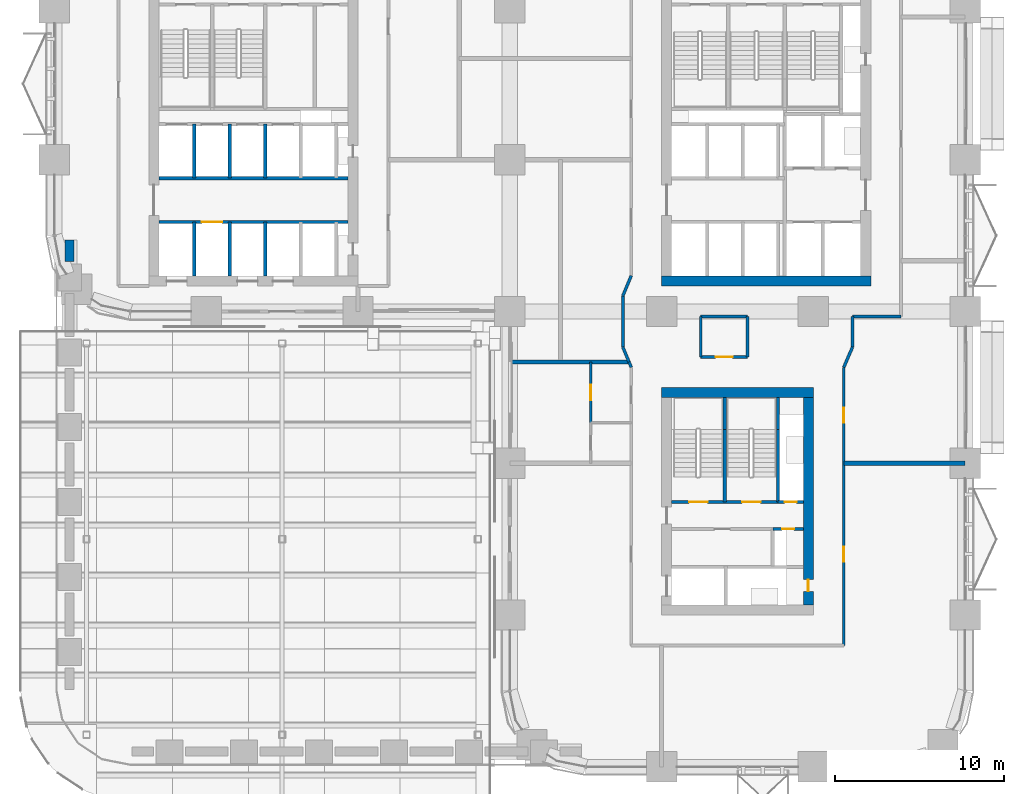
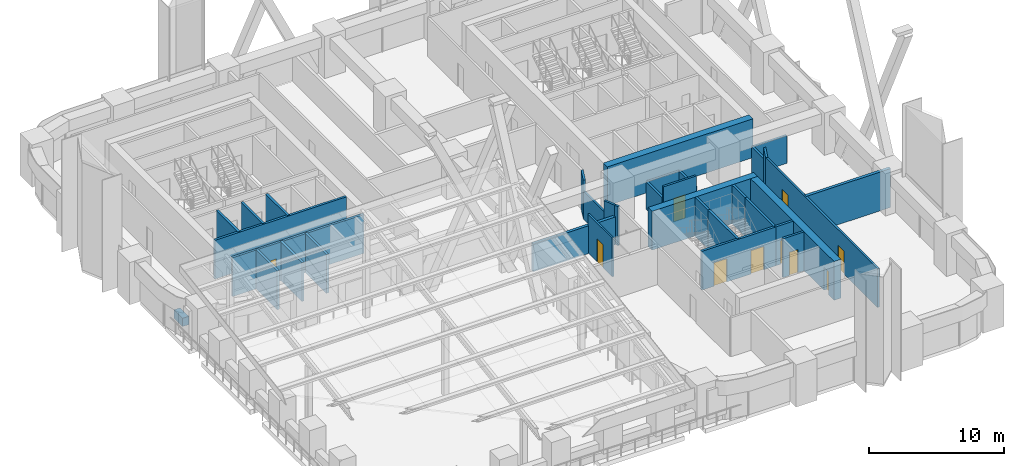
# One storey, part 14 of 22: 34 walls, 10 doors, 10 openings.
"""IFC4 building model written with IfcOpenShell, lengths in metres."""

from ifc_helpers import new_model, si_unit, direction, frame, frame_2d, origin, place, context, subcontext, project, spatial, rectangle, extrude, material, layer, layer_set, type_object, element, fill, save


model = new_model("IFC4")

# Units and contexts
model_context = context("Model", 3, precision=1e-05, world=origin(), true_north=direction((0.0, 1.0)))
body_context = subcontext(model_context, "Body", "Model", "MODEL_VIEW")
ifc_project = project(units=[si_unit("LENGTHUNIT", "METRE"), si_unit("AREAUNIT", "SQUARE_METRE"), si_unit("VOLUMEUNIT", "CUBIC_METRE"), si_unit("PLANEANGLEUNIT", "RADIAN"), si_unit("MASSUNIT", "GRAM", prefix="KILO")], contexts=[model_context])

# Site, building, storey
site_placement = place(None, origin())
site = spatial("IfcSite", under=ifc_project, at=site_placement, CompositionType="ELEMENT")
building_placement = place(site_placement, origin())
building = spatial("IfcBuilding", under=site, at=building_placement, Name="Tessera Arch", CompositionType="ELEMENT")
storey_placement = place(building_placement, frame((0.0, 0.0, 77.800048828125)))
storey = spatial("IfcBuildingStorey", under=building, at=storey_placement, Name="L17", CompositionType="ELEMENT", Elevation=77.800048828125)

# Walls
ifc_material_1 = material(Name="Concrete C70/85", Category="concrete")
ifc_layer_1 = layer(ifc_material_1, 0.60009765625)
ifc_layer_set_1 = layer_set([ifc_layer_1], Name="Core shell wall 600 C70-85")
wall_type_1 = type_object("IfcWallType", Name="Core shell wall 600 C70-85", PredefinedType="SHEAR", material=ifc_layer_set_1)
wall_1_placement = place(storey_placement, frame((36.0, 28.800048828125, 0.0), z_axis=(0.0, 0.0, 1.0), x_axis=(1.0, 0.0, 0.0)))
element("IfcWall", 1, at=wall_1_placement, inside=storey, type_object=wall_type_1, Name="L17 C1 core wall S", PredefinedType="SHEAR", context=body_context, shape_type="SweptSolid", body=[
    extrude(rectangle(XDim=12.39990234375, YDim=0.60009765625, at=frame_2d((6.199951171875, 0.0))), origin(), (0.0, 0.0, 1.0), 3.5),
])
wall_2_placement = place(storey_placement, frame((36.0, 22.199951171875, 0.0), z_axis=(0.0, 0.0, 1.0), x_axis=(1.0, 0.0, 0.0)))
element("IfcWall", 2, at=wall_2_placement, inside=storey, type_object=wall_type_1, Name="L17 C3 core wall N", PredefinedType="SHEAR", context=body_context, shape_type="SweptSolid", body=[
    extrude(rectangle(XDim=9.0, YDim=0.60009765625, at=frame_2d((4.5, 0.0))), origin(), (0.0, 0.0, 1.0), 3.5),
])

# Wall, opening, door
wall_3_placement = place(storey_placement, frame((44.699951171875, 9.60009765625, 0.0), z_axis=(0.0, 0.0, 1.0), x_axis=(0.0, 1.0, 0.0)))
wall_3 = element("IfcWall", 3, at=wall_3_placement, inside=storey, type_object=wall_type_1, Name="L17 C3 core wall E", PredefinedType="SHEAR", context=body_context, shape_type="SweptSolid", body=[
    extrude(rectangle(XDim=12.2998046875, YDim=0.60009765625, at=frame_2d((6.14990234375, 0.0))), origin(), (0.0, 0.0, 1.0), 3.5),
])
opening_1_placement = place(wall_3_placement, frame((0.800048828125, 0.0, 0.0)))
opening_1 = element("IfcOpeningElement", 4, at=opening_1_placement, cuts=wall_3, Name="Opening L17-C38", PredefinedType="OPENING", context=body_context, shape_type="SweptSolid", body=[
    extrude(rectangle(XDim=0.699951171875, YDim=2.10009765625, at=frame_2d((0.35009765625, 1.050048828125))), frame((0.0, 0.31005859375, 0.0), z_axis=(0.0, -1.0, 0.0), x_axis=(1.0, 0.0, 0.0)), (0.0, 0.0, 1.0), 0.6201171875),
])
ifc_material_2 = material(Name="Steel door leaf", Category="steel")
door_type_1 = type_object("IfcDoorType", Name="Service shaft door FD60 700 x 2100", OperationType="SINGLE_SWING_LEFT", PredefinedType="DOOR", material=ifc_material_2)
door_1_placement = place(opening_1_placement, origin())
door_1 = element("IfcDoor", 5, at=door_1_placement, inside=storey, type_object=door_type_1, Name="L17 C3 door 6 C38 type D07", OperationType="SINGLE_SWING_LEFT", OverallHeight=2.10009765625, OverallWidth=0.699951171875, PredefinedType="DOOR", context=body_context, shape_type="SweptSolid", body=[
    extrude(rectangle(XDim=0.699951171875, YDim=2.10009765625, at=frame_2d((0.35009765625, 1.050048828125))), frame((0.0, 0.02490234375, 0.0), z_axis=(0.0, -1.0, 0.0), x_axis=(1.0, 0.0, 0.0)), (0.0, 0.0, 1.0), 0.050048828125),
])
fill(opening_1, door_1)

ifc_material_3 = material(Name="Gypsum board on deep steel stud with mineral wool", Category="steel")
ifc_layer_2 = layer(ifc_material_3, 0.175048828125)
ifc_layer_set_2 = layer_set([ifc_layer_2], Name="Corridor wall 175 EI 60")
wall_type_2 = type_object("IfcWallType", Name="Corridor wall 175 EI 60", PredefinedType="PARTITIONING", material=ifc_layer_set_2)
wall_4_placement = place(storey_placement, frame((38.320068359375, 24.300048828125, 0.0), z_axis=(0.0, 0.0, 1.0), x_axis=(1.0, 0.0, 0.0)))
wall_4 = element("IfcWall", 6, at=wall_4_placement, inside=storey, type_object=wall_type_2, Name="L17 partition 2", PredefinedType="PARTITIONING", context=body_context, shape_type="SweptSolid", body=[
    extrude(rectangle(XDim=2.780029296875, YDim=0.175048828125, at=frame_2d((1.39013671875, 0.0))), origin(), (0.0, 0.0, 1.0), 3.5),
])
opening_2_placement = place(wall_4_placement, frame((0.889892578125, 0.0, 0.0)))
opening_2 = element("IfcOpeningElement", 7, at=opening_2_placement, cuts=wall_4, Name="Opening L17-D007", PredefinedType="OPENING", context=body_context, shape_type="SweptSolid", body=[
    extrude(rectangle(XDim=1.0, YDim=2.10009765625, at=frame_2d((0.5, 1.050048828125))), frame((0.0, 0.097412109375, 0.0), z_axis=(0.0, -1.0, 0.0), x_axis=(1.0, 0.0, 0.0)), (0.0, 0.0, 1.0), 0.195068359375),
])
ifc_material_4 = material(Name="Fire-rated door leaf")
door_type_2 = type_object("IfcDoorType", Name="Entrance door FD30S 1000 x 2100", OperationType="SINGLE_SWING_LEFT", PredefinedType="DOOR", material=ifc_material_4)
door_2_placement = place(opening_2_placement, origin())
door_2 = element("IfcDoor", 8, at=door_2_placement, inside=storey, type_object=door_type_2, Name="L17 door D007 type D03", OperationType="SINGLE_SWING_LEFT", OverallHeight=2.10009765625, OverallWidth=1.0, PredefinedType="DOOR", context=body_context, shape_type="SweptSolid", body=[
    extrude(rectangle(XDim=1.0, YDim=2.10009765625, at=frame_2d((0.5, 1.050048828125))), frame((0.0, 0.02490234375, 0.0), z_axis=(0.0, -1.0, 0.0), x_axis=(1.0, 0.0, 0.0)), (0.0, 0.0, 1.0), 0.050048828125),
])
fill(opening_2, door_2)

# Walls
wall_5_placement = place(storey_placement, frame((38.320068359375, 26.699951171875, 0.0), z_axis=(0.0, 0.0, 1.0), x_axis=(1.0, 0.0, 0.0)))
element("IfcWall", 9, at=wall_5_placement, inside=storey, type_object=wall_type_2, Name="L17 partition 3", PredefinedType="PARTITIONING", context=body_context, shape_type="SweptSolid", body=[
    extrude(rectangle(XDim=2.780029296875, YDim=0.175048828125, at=frame_2d((1.39013671875, 0.0))), origin(), (0.0, 0.0, 1.0), 2.5),
])
wall_6_placement = place(storey_placement, frame((47.320068359375, 26.699951171875, 0.0), z_axis=(0.0, 0.0, 1.0), x_axis=(1.0, 0.0, 0.0)))
element("IfcWall", 10, at=wall_6_placement, inside=storey, type_object=wall_type_2, Name="L17 partition 4", PredefinedType="PARTITIONING", context=body_context, shape_type="SweptSolid", body=[
    extrude(rectangle(XDim=2.8798828125, YDim=0.175048828125, at=frame_2d((1.43994140625, 0.0))), origin(), (0.0, 0.0, 1.0), 2.5),
])
wall_7_placement = place(storey_placement, frame((33.699951171875, 24.889892578125, 0.0), z_axis=(0.0, 0.0, 1.0), x_axis=(0.0, 1.0, 0.0)))
element("IfcWall", 11, at=wall_7_placement, inside=storey, type_object=wall_type_2, Name="L17 partition 11", PredefinedType="PARTITIONING", context=body_context, shape_type="SweptSolid", body=[
    extrude(rectangle(XDim=3.030029296875, YDim=0.175048828125, at=frame_2d((1.51513671875, 0.0))), origin(), (0.0, 0.0, 1.0), 2.5),
])
for number, where, z_axis, x_axis, name in (
    (12, (38.320068359375, 24.300048828125, 0.0), (0.0, 0.0, 1.0), (0.0, 1.0, 0.0), "L17 partition 14"),
    (13, (41.10009765625, 24.300048828125, 0.0), (0.0, 0.0, 1.0), (0.0, 1.0, 0.0), "L17 partition 15"),
):
    element("IfcWall", number, at=place(storey_placement, frame(where, z_axis=z_axis, x_axis=x_axis)), inside=storey, type_object=wall_type_2, Name=name, PredefinedType="PARTITIONING", context=body_context, shape_type="SweptSolid", body=[
        extrude(rectangle(XDim=2.39990234375, YDim=0.175048828125, at=frame_2d((1.199951171875, 0.0))), origin(), (0.0, 0.0, 1.0), 2.5),
    ])

# Wall, openings, doors
wall_8_placement = place(storey_placement, frame((46.800048828125, 7.199951171875, 0.0), z_axis=(0.0, 0.0, 1.0), x_axis=(0.0, 1.0, 0.0)))
wall_8 = element("IfcWall", 14, at=wall_8_placement, inside=storey, type_object=wall_type_2, Name="L17 partition 16", PredefinedType="PARTITIONING", context=body_context, shape_type="SweptSolid", body=[
    extrude(rectangle(XDim=16.489990234375, YDim=0.175048828125, at=frame_2d((8.2451171875, 0.0))), origin(), (0.0, 0.0, 1.0), 3.5),
])
opening_3_placement = place(wall_8_placement, frame((4.949951171875, 0.0, 0.0)))
opening_3 = element("IfcOpeningElement", 15, at=opening_3_placement, cuts=wall_8, Name="Opening L17-D001", PredefinedType="OPENING", context=body_context, shape_type="SweptSolid", body=[
    extrude(rectangle(XDim=0.89990234375, YDim=2.10009765625, at=frame_2d((0.449951171875, 1.050048828125))), frame((0.0, 0.097412109375, 0.0), z_axis=(0.0, -1.0, 0.0), x_axis=(1.0, 0.0, 0.0)), (0.0, 0.0, 1.0), 0.195068359375),
])
opening_4_placement = place(wall_8_placement, frame((13.195068359375, 0.0, 0.0)))
opening_4 = element("IfcOpeningElement", 16, at=opening_4_placement, cuts=wall_8, Name="Opening L17-D006", PredefinedType="OPENING", context=body_context, shape_type="SweptSolid", body=[
    extrude(rectangle(XDim=0.89990234375, YDim=2.10009765625, at=frame_2d((0.449951171875, 1.050048828125))), frame((0.0, 0.097412109375, 0.0), z_axis=(0.0, -1.0, 0.0), x_axis=(1.0, 0.0, 0.0)), (0.0, 0.0, 1.0), 0.195068359375),
])
ifc_material_5 = material(Name="Timber door leaf", Category="wood")
door_type_3 = type_object("IfcDoorType", Name="Room door 900 x 2100", OperationType="SINGLE_SWING_LEFT", PredefinedType="DOOR", material=ifc_material_5)
door_3_placement = place(opening_3_placement, origin())
door_3 = element("IfcDoor", 17, at=door_3_placement, inside=storey, type_object=door_type_3, Name="L17 door D001 type D01", OperationType="SINGLE_SWING_RIGHT", OverallHeight=2.10009765625, OverallWidth=0.89990234375, PredefinedType="DOOR", context=body_context, shape_type="SweptSolid", body=[
    extrude(rectangle(XDim=0.89990234375, YDim=2.10009765625, at=frame_2d((0.449951171875, 1.050048828125))), frame((0.0, 0.02490234375, 0.0), z_axis=(0.0, -1.0, 0.0), x_axis=(1.0, 0.0, 0.0)), (0.0, 0.0, 1.0), 0.050048828125),
])
fill(opening_3, door_3)
door_4_placement = place(opening_4_placement, origin())
door_4 = element("IfcDoor", 18, at=door_4_placement, inside=storey, type_object=door_type_3, Name="L17 door D006 type D01", OperationType="SINGLE_SWING_LEFT", OverallHeight=2.10009765625, OverallWidth=0.89990234375, PredefinedType="DOOR", context=body_context, shape_type="SweptSolid", body=[
    extrude(rectangle(XDim=0.89990234375, YDim=2.10009765625, at=frame_2d((0.449951171875, 1.050048828125))), frame((0.0, 0.02490234375, 0.0), z_axis=(0.0, -1.0, 0.0), x_axis=(1.0, 0.0, 0.0)), (0.0, 0.0, 1.0), 0.050048828125),
])
fill(opening_4, door_4)

# Walls
wall_9_placement = place(storey_placement, frame((47.320068359375, 24.889892578125, 0.0), z_axis=(0.0, 0.0, 1.0), x_axis=(0.0, 1.0, 0.0)))
element("IfcWall", 19, at=wall_9_placement, inside=storey, type_object=wall_type_2, Name="L17 partition 17", PredefinedType="PARTITIONING", context=body_context, shape_type="SweptSolid", body=[
    extrude(rectangle(XDim=1.81005859375, YDim=0.175048828125, at=frame_2d((0.905029296875, 0.0))), origin(), (0.0, 0.0, 1.0), 2.5),
])
wall_10_placement = place(storey_placement, frame((34.199951171875, 23.68994140625, 0.0), z_axis=(0.0, 0.0, 1.0), x_axis=(-0.384307602557, 0.92320510539, 0.0)))
element("IfcWall", 20, at=wall_10_placement, inside=storey, type_object=wall_type_2, Name="L17 partition 36", PredefinedType="PARTITIONING", context=body_context, shape_type="SweptSolid", body=[
    extrude(rectangle(XDim=0.337890625, YDim=0.175048828125, at=frame_2d((0.1689453125, 0.0))), origin(), (0.0, 0.0, 1.0), 3.5),
])
wall_11_placement = place(storey_placement, frame((47.320068359375, 24.889892578125, 0.0), z_axis=(0.0, 0.0, 1.0), x_axis=(-0.397633632391, -0.917544273804, 0.0)))
element("IfcWall", 21, at=wall_11_placement, inside=storey, type_object=wall_type_2, Name="L17 partition 37", PredefinedType="PARTITIONING", context=body_context, shape_type="SweptSolid", body=[
    extrude(rectangle(XDim=1.307861328125, YDim=0.175048828125, at=frame_2d((0.65380859375, 0.0))), origin(), (0.0, 0.0, 1.0), 3.5),
])
wall_12_placement = place(storey_placement, frame((34.071533203125, 23.998291015625, 0.0), z_axis=(0.0, 0.0, 1.0), x_axis=(-0.384687170746, 0.923047008913, 0.0)))
element("IfcWall", 22, at=wall_12_placement, inside=storey, type_object=wall_type_2, Name="L17 partition 38", PredefinedType="PARTITIONING", context=body_context, shape_type="SweptSolid", body=[
    extrude(rectangle(XDim=0.9658203125, YDim=0.175048828125, at=frame_2d((0.48291015625, 0.0))), origin(), (0.0, 0.0, 1.0), 3.5),
])
wall_13_placement = place(storey_placement, frame((33.699951171875, 27.919921875, 0.0), z_axis=(0.0, 0.0, 1.0), x_axis=(0.384562051588, 0.923099143363, 0.0)))
element("IfcWall", 23, at=wall_13_placement, inside=storey, type_object=wall_type_2, Name="L17 partition 39", PredefinedType="PARTITIONING", context=body_context, shape_type="SweptSolid", body=[
    extrude(rectangle(XDim=1.30029296875, YDim=0.175048828125, at=frame_2d((0.650146484375, 0.0))), origin(), (0.0, 0.0, 1.0), 3.5),
])

# Wall, opening, door
ifc_material_6 = material(Name="Gypsum board on steel stud", Category="steel")
ifc_layer_3 = layer(ifc_material_6, 0.14990234375)
ifc_layer_set_3 = layer_set([ifc_layer_3], Name="Partition 150")
wall_type_3 = type_object("IfcWallType", Name="Partition 150", PredefinedType="PARTITIONING", material=ifc_layer_set_3)
wall_14_placement = place(storey_placement, frame((31.800048828125, 20.39990234375, 0.0), z_axis=(0.0, 0.0, 1.0), x_axis=(0.0, 1.0, 0.0)))
wall_14 = element("IfcWall", 24, at=wall_14_placement, inside=storey, type_object=wall_type_3, Name="L17 partition 19", PredefinedType="PARTITIONING", context=body_context, shape_type="SweptSolid", body=[
    extrude(rectangle(XDim=3.60009765625, YDim=0.14990234375, at=frame_2d((1.800048828125, 0.0))), origin(), (0.0, 0.0, 1.0), 3.5),
])
opening_5_placement = place(wall_14_placement, frame((1.35009765625, 0.0, 0.0)))
opening_5 = element("IfcOpeningElement", 25, at=opening_5_placement, cuts=wall_14, Name="Opening L17-D004", PredefinedType="OPENING", context=body_context, shape_type="SweptSolid", body=[
    extrude(rectangle(XDim=0.89990234375, YDim=2.10009765625, at=frame_2d((0.449951171875, 1.050048828125))), frame((0.0, 0.0849609375, 0.0), z_axis=(0.0, -1.0, 0.0), x_axis=(1.0, 0.0, 0.0)), (0.0, 0.0, 1.0), 0.169921875),
])
door_5_placement = place(opening_5_placement, origin())
door_5 = element("IfcDoor", 26, at=door_5_placement, inside=storey, type_object=door_type_3, Name="L17 door D004 type D01", OperationType="SINGLE_SWING_RIGHT", OverallHeight=2.10009765625, OverallWidth=0.89990234375, PredefinedType="DOOR", context=body_context, shape_type="SweptSolid", body=[
    extrude(rectangle(XDim=0.89990234375, YDim=2.10009765625, at=frame_2d((0.449951171875, 1.050048828125))), frame((0.0, 0.02490234375, 0.0), z_axis=(0.0, -1.0, 0.0), x_axis=(1.0, 0.0, 0.0)), (0.0, 0.0, 1.0), 0.050048828125),
])
fill(opening_5, door_5)

# Walls
ifc_material_7 = material(Name="Double gypsum board on twin steel stud with acoustic mineral wool", Category="steel")
ifc_layer_4 = layer(ifc_material_7, 0.25)
ifc_layer_set_4 = layer_set([ifc_layer_4], Name="Party wall 250 EI 60")
wall_type_4 = type_object("IfcWallType", Name="Party wall 250 EI 60", PredefinedType="PARTITIONING", material=ifc_layer_set_4)
wall_15_placement = place(storey_placement, frame((46.800048828125, 18.0, 0.0), z_axis=(0.0, 0.0, 1.0), x_axis=(1.0, 0.0, 0.0)))
element("IfcWall", 27, at=wall_15_placement, inside=storey, type_object=wall_type_4, Name="L17 partition 21", PredefinedType="PARTITIONING", context=body_context, shape_type="SweptSolid", body=[
    extrude(rectangle(XDim=7.199951171875, YDim=0.25, at=frame_2d((3.60009765625, 0.0))), origin(), (0.0, 0.0, 1.0), 3.5),
])
wall_16_placement = place(storey_placement, frame((27.0, 24.0, 0.0), z_axis=(0.0, 0.0, 1.0), x_axis=(1.0, 0.0, 0.0)))
element("IfcWall", 28, at=wall_16_placement, inside=storey, type_object=wall_type_4, Name="L17 partition 22", PredefinedType="PARTITIONING", context=body_context, shape_type="SweptSolid", body=[
    extrude(rectangle(XDim=7.07080078125, YDim=0.25, at=frame_2d((3.535400390625, 0.0))), origin(), (0.0, 0.0, 1.0), 2.5),
])
ifc_material_8 = material(Name="Precast concrete C40/50", Category="concrete")
ifc_layer_5 = layer(ifc_material_8, 0.5400390625)
ifc_layer_set_5 = layer_set([ifc_layer_5], Name="Planter bed 540 wide")
wall_type_5 = type_object("IfcWallType", Name="Planter bed 540 wide", PredefinedType="SOLIDWALL", material=ifc_layer_set_5)
wall_17_placement = place(storey_placement, frame((0.89990234375, 29.972412109375, 0.599853515625), z_axis=(0.0, 0.0, 1.0), x_axis=(0.0, 1.0, 0.0)))
element("IfcWall", 29, at=wall_17_placement, inside=storey, type_object=wall_type_5, Name="PLANTER shrub mass on terrace bed 1-2 7", PredefinedType="SOLIDWALL", context=body_context, shape_type="SweptSolid", body=[
    extrude(rectangle(XDim=1.271240234375, YDim=0.5400390625, at=frame_2d((0.6357421875, 0.0))), origin(), (0.0, 0.0, 1.0), 0.75),
])
ifc_material_9 = material(Name="Concrete C40/50", Category="concrete")
ifc_layer_6 = layer(ifc_material_9, 0.199951171875)
ifc_layer_set_6 = layer_set([ifc_layer_6], Name="Shaft wall 200 EI 120")
wall_type_6 = type_object("IfcWallType", Name="Shaft wall 200 EI 120", PredefinedType="SOLIDWALL", material=ifc_layer_set_6)
wall_18_placement = place(storey_placement, frame((8.300048828125, 29.10009765625, 0.0), z_axis=(0.0, 0.0, 1.0), x_axis=(0.0, 1.0, 0.0)))
element("IfcWall", 30, at=wall_18_placement, inside=storey, type_object=wall_type_6, Name="L17 C2 shaft wall 1", PredefinedType="SOLIDWALL", context=body_context, shape_type="SweptSolid", body=[
    extrude(rectangle(XDim=3.199951171875, YDim=0.199951171875, at=frame_2d((1.60009765625, 0.0))), origin(), (0.0, 0.0, 1.0), 3.5),
])
wall_19_placement = place(storey_placement, frame((8.300048828125, 34.89990234375, 0.0), z_axis=(0.0, 0.0, 1.0), x_axis=(0.0, 1.0, 0.0)))
element("IfcWall", 31, at=wall_19_placement, inside=storey, type_object=wall_type_6, Name="L17 C2 shaft wall 2", PredefinedType="SOLIDWALL", context=body_context, shape_type="SweptSolid", body=[
    extrude(rectangle(XDim=3.2001953125, YDim=0.199951171875, at=frame_2d((1.60009765625, 0.0))), origin(), (0.0, 0.0, 1.0), 3.5),
])
wall_20_placement = place(storey_placement, frame((10.39990234375, 29.10009765625, 0.0), z_axis=(0.0, 0.0, 1.0), x_axis=(0.0, 1.0, 0.0)))
element("IfcWall", 32, at=wall_20_placement, inside=storey, type_object=wall_type_6, Name="L17 C2 shaft wall 5", PredefinedType="SOLIDWALL", context=body_context, shape_type="SweptSolid", body=[
    extrude(rectangle(XDim=3.199951171875, YDim=0.199951171875, at=frame_2d((1.60009765625, 0.0))), origin(), (0.0, 0.0, 1.0), 3.5),
])
wall_21_placement = place(storey_placement, frame((10.39990234375, 34.89990234375, 0.0), z_axis=(0.0, 0.0, 1.0), x_axis=(0.0, 1.0, 0.0)))
element("IfcWall", 33, at=wall_21_placement, inside=storey, type_object=wall_type_6, Name="L17 C2 shaft wall 6", PredefinedType="SOLIDWALL", context=body_context, shape_type="SweptSolid", body=[
    extrude(rectangle(XDim=3.2001953125, YDim=0.199951171875, at=frame_2d((1.60009765625, 0.0))), origin(), (0.0, 0.0, 1.0), 3.5),
])
wall_22_placement = place(storey_placement, frame((12.5, 29.10009765625, 0.0), z_axis=(0.0, 0.0, 1.0), x_axis=(0.0, 1.0, 0.0)))
element("IfcWall", 34, at=wall_22_placement, inside=storey, type_object=wall_type_6, Name="L17 C2 shaft wall 8", PredefinedType="SOLIDWALL", context=body_context, shape_type="SweptSolid", body=[
    extrude(rectangle(XDim=3.199951171875, YDim=0.199951171875, at=frame_2d((1.60009765625, 0.0))), origin(), (0.0, 0.0, 1.0), 3.5),
])
wall_23_placement = place(storey_placement, frame((12.5, 34.89990234375, 0.0), z_axis=(0.0, 0.0, 1.0), x_axis=(0.0, 1.0, 0.0)))
element("IfcWall", 35, at=wall_23_placement, inside=storey, type_object=wall_type_6, Name="L17 C2 shaft wall 9", PredefinedType="SOLIDWALL", context=body_context, shape_type="SweptSolid", body=[
    extrude(rectangle(XDim=3.2001953125, YDim=0.199951171875, at=frame_2d((1.60009765625, 0.0))), origin(), (0.0, 0.0, 1.0), 3.5),
])

# Wall, opening, door
wall_24_placement = place(storey_placement, frame((6.199951171875, 32.300048828125, 0.0), z_axis=(0.0, 0.0, 1.0), x_axis=(1.0, 0.0, 0.0)))
wall_24 = element("IfcWall", 36, at=wall_24_placement, inside=storey, type_object=wall_type_6, Name="L17 C2 shaft wall 17", PredefinedType="SOLIDWALL", context=body_context, shape_type="SweptSolid", body=[
    extrude(rectangle(XDim=11.199951171875, YDim=0.199951171875, at=frame_2d((5.60009765625, 0.0))), origin(), (0.0, 0.0, 1.0), 3.5),
])
opening_6_placement = place(wall_24_placement, frame((2.550048828125, 0.0, 0.0)))
opening_6 = element("IfcOpeningElement", 37, at=opening_6_placement, cuts=wall_24, Name="Opening L17-C16", PredefinedType="OPENING", context=body_context, shape_type="SweptSolid", body=[
    extrude(rectangle(XDim=1.199951171875, YDim=2.10009765625, at=frame_2d((0.60009765625, 1.050048828125))), frame((0.0, 0.10986328125, 0.0), z_axis=(0.0, -1.0, 0.0), x_axis=(1.0, 0.0, 0.0)), (0.0, 0.0, 1.0), 0.219970703125),
])
ifc_material_10 = material(Name="Stainless steel AISI 304", Category="steel")
door_type_4 = type_object("IfcDoorType", Name="Sliding landing door 1200 x 2100", OperationType="SLIDING_TO_LEFT", PredefinedType="DOOR", material=ifc_material_10)
door_6_placement = place(opening_6_placement, origin())
door_6 = element("IfcDoor", 38, at=door_6_placement, inside=storey, type_object=door_type_4, Name="L17 LR2 lift landing door C16 type LD", OperationType="SLIDING_TO_LEFT", OverallHeight=2.10009765625, OverallWidth=1.199951171875, PredefinedType="DOOR", context=body_context, shape_type="SweptSolid", body=[
    extrude(rectangle(XDim=1.199951171875, YDim=2.10009765625, at=frame_2d((0.60009765625, 1.050048828125))), frame((0.0, 0.02490234375, 0.0), z_axis=(0.0, -1.0, 0.0), x_axis=(1.0, 0.0, 0.0)), (0.0, 0.0, 1.0), 0.050048828125),
])
fill(opening_6, door_6)

# Wall
wall_25_placement = place(storey_placement, frame((6.199951171875, 34.89990234375, 0.0), z_axis=(0.0, 0.0, 1.0), x_axis=(1.0, 0.0, 0.0)))
element("IfcWall", 39, at=wall_25_placement, inside=storey, type_object=wall_type_6, Name="L17 C2 shaft wall 18", PredefinedType="SOLIDWALL", context=body_context, shape_type="SweptSolid", body=[
    extrude(rectangle(XDim=11.199951171875, YDim=0.199951171875, at=frame_2d((5.60009765625, 0.0))), origin(), (0.0, 0.0, 1.0), 3.5),
])

# Wall, opening, door
wall_26_placement = place(storey_placement, frame((42.60009765625, 14.10009765625, 0.0), z_axis=(0.0, 0.0, 1.0), x_axis=(1.0, 0.0, 0.0)))
wall_26 = element("IfcWall", 40, at=wall_26_placement, inside=storey, type_object=wall_type_6, Name="L17 C3 shaft wall 9", PredefinedType="SOLIDWALL", context=body_context, shape_type="SweptSolid", body=[
    extrude(rectangle(XDim=1.7998046875, YDim=0.199951171875, at=frame_2d((0.89990234375, 0.0))), origin(), (0.0, 0.0, 1.0), 3.5),
])
opening_7_placement = place(wall_26_placement, frame((0.550048828125, 0.0, 0.0)))
opening_7 = element("IfcOpeningElement", 41, at=opening_7_placement, cuts=wall_26, Name="Opening L17-C37", PredefinedType="OPENING", context=body_context, shape_type="SweptSolid", body=[
    extrude(rectangle(XDim=0.699951171875, YDim=2.10009765625, at=frame_2d((0.35009765625, 1.050048828125))), frame((0.0, 0.10986328125, 0.0), z_axis=(0.0, -1.0, 0.0), x_axis=(1.0, 0.0, 0.0)), (0.0, 0.0, 1.0), 0.219970703125),
])
door_7_placement = place(opening_7_placement, origin())
door_7 = element("IfcDoor", 42, at=door_7_placement, inside=storey, type_object=door_type_1, Name="L17 C3 door 5 C37 type D07", OperationType="SINGLE_SWING_RIGHT", OverallHeight=2.10009765625, OverallWidth=0.699951171875, PredefinedType="DOOR", context=body_context, shape_type="SweptSolid", body=[
    extrude(rectangle(XDim=0.699951171875, YDim=2.10009765625, at=frame_2d((0.35009765625, 1.050048828125))), frame((0.0, 0.02490234375, 0.0), z_axis=(0.0, -1.0, 0.0), x_axis=(1.0, 0.0, 0.0)), (0.0, 0.0, 1.0), 0.050048828125),
])
fill(opening_7, door_7)

wall_27_placement = place(storey_placement, frame((42.89990234375, 15.699951171875, 0.0), z_axis=(0.0, 0.0, 1.0), x_axis=(1.0, 0.0, 0.0)))
wall_27 = element("IfcWall", 43, at=wall_27_placement, inside=storey, type_object=wall_type_6, Name="L17 C3 shaft wall 10", PredefinedType="SOLIDWALL", context=body_context, shape_type="SweptSolid", body=[
    extrude(rectangle(XDim=1.5, YDim=0.199951171875, at=frame_2d((0.75, 0.0))), origin(), (0.0, 0.0, 1.0), 3.5),
])
opening_8_placement = place(wall_27_placement, frame((0.39990234375, 0.0, 0.0)))
opening_8 = element("IfcOpeningElement", 44, at=opening_8_placement, cuts=wall_27, Name="Opening L17-C36", PredefinedType="OPENING", context=body_context, shape_type="SweptSolid", body=[
    extrude(rectangle(XDim=0.699951171875, YDim=2.10009765625, at=frame_2d((0.35009765625, 1.050048828125))), frame((0.0, 0.10986328125, 0.0), z_axis=(0.0, -1.0, 0.0), x_axis=(1.0, 0.0, 0.0)), (0.0, 0.0, 1.0), 0.219970703125),
])
door_8_placement = place(opening_8_placement, origin())
door_8 = element("IfcDoor", 45, at=door_8_placement, inside=storey, type_object=door_type_1, Name="L17 C3 door 4 C36 type D07", OperationType="SINGLE_SWING_LEFT", OverallHeight=2.10009765625, OverallWidth=0.699951171875, PredefinedType="DOOR", context=body_context, shape_type="SweptSolid", body=[
    extrude(rectangle(XDim=0.699951171875, YDim=2.10009765625, at=frame_2d((0.35009765625, 1.050048828125))), frame((0.0, 0.02490234375, 0.0), z_axis=(0.0, -1.0, 0.0), x_axis=(1.0, 0.0, 0.0)), (0.0, 0.0, 1.0), 0.050048828125),
])
fill(opening_8, door_8)

# Walls
ifc_material_11 = material(Name="Concrete C40/50", Category="concrete")
ifc_layer_7 = layer(ifc_material_11, 0.199951171875)
ifc_layer_set_7 = layer_set([ifc_layer_7], Name="Stair well wall 200 REI 180")
wall_type_7 = type_object("IfcWallType", Name="Stair well wall 200 REI 180", PredefinedType="SOLIDWALL", material=ifc_layer_set_7)
wall_28_placement = place(storey_placement, frame((39.75, 15.699951171875, 0.0), z_axis=(0.0, 0.0, 1.0), x_axis=(0.0, 1.0, 0.0)))
element("IfcWall", 46, at=wall_28_placement, inside=storey, type_object=wall_type_7, Name="L17 C3 shaft wall 1", PredefinedType="SOLIDWALL", context=body_context, shape_type="SweptSolid", body=[
    extrude(rectangle(XDim=4.300048828125, YDim=0.199951171875, at=frame_2d((2.14990234375, 0.0))), origin(), (0.0, 0.0, 1.0), 3.5),
])
wall_29_placement = place(storey_placement, frame((39.75, 20.0, 0.0), z_axis=(0.0, 0.0, 1.0), x_axis=(0.0, 1.0, 0.0)))
element("IfcWall", 47, at=wall_29_placement, inside=storey, type_object=wall_type_7, Name="L17 C3 shaft wall 2", PredefinedType="SOLIDWALL", context=body_context, shape_type="SweptSolid", body=[
    extrude(rectangle(XDim=1.89990234375, YDim=0.199951171875, at=frame_2d((0.949951171875, 0.0))), origin(), (0.0, 0.0, 1.0), 3.5),
])
wall_30_placement = place(storey_placement, frame((42.89990234375, 15.699951171875, 0.0), z_axis=(0.0, 0.0, 1.0), x_axis=(0.0, 1.0, 0.0)))
element("IfcWall", 48, at=wall_30_placement, inside=storey, type_object=wall_type_7, Name="L17 C3 shaft wall 5", PredefinedType="SOLIDWALL", context=body_context, shape_type="SweptSolid", body=[
    extrude(rectangle(XDim=4.300048828125, YDim=0.199951171875, at=frame_2d((2.14990234375, 0.0))), origin(), (0.0, 0.0, 1.0), 3.5),
])
wall_31_placement = place(storey_placement, frame((42.89990234375, 20.0, 0.0), z_axis=(0.0, 0.0, 1.0), x_axis=(0.0, 1.0, 0.0)))
element("IfcWall", 49, at=wall_31_placement, inside=storey, type_object=wall_type_7, Name="L17 C3 shaft wall 6", PredefinedType="SOLIDWALL", context=body_context, shape_type="SweptSolid", body=[
    extrude(rectangle(XDim=1.89990234375, YDim=0.199951171875, at=frame_2d((0.949951171875, 0.0))), origin(), (0.0, 0.0, 1.0), 3.5),
])

# Wall, openings, doors
wall_32_placement = place(storey_placement, frame((36.60009765625, 15.699951171875, 0.0), z_axis=(0.0, 0.0, 1.0), x_axis=(1.0, 0.0, 0.0)))
wall_32 = element("IfcWall", 50, at=wall_32_placement, inside=storey, type_object=wall_type_7, Name="L17 C3 shaft wall 11", PredefinedType="SOLIDWALL", context=body_context, shape_type="SweptSolid", body=[
    extrude(rectangle(XDim=6.2998046875, YDim=0.199951171875, at=frame_2d((3.14990234375, 0.0))), origin(), (0.0, 0.0, 1.0), 3.5),
])
opening_9_placement = place(wall_32_placement, frame((1.02490234375, 0.0, 0.0)))
opening_9 = element("IfcOpeningElement", 51, at=opening_9_placement, cuts=wall_32, Name="Opening L17-C34", PredefinedType="OPENING", context=body_context, shape_type="SweptSolid", body=[
    extrude(rectangle(XDim=1.10009765625, YDim=2.10009765625, at=frame_2d((0.550048828125, 1.050048828125))), frame((0.0, 0.10986328125, 0.0), z_axis=(0.0, -1.0, 0.0), x_axis=(1.0, 0.0, 0.0)), (0.0, 0.0, 1.0), 0.219970703125),
])
opening_10_placement = place(wall_32_placement, frame((4.175048828125, 0.0, 0.0)))
opening_10 = element("IfcOpeningElement", 52, at=opening_10_placement, cuts=wall_32, Name="Opening L17-C35", PredefinedType="OPENING", context=body_context, shape_type="SweptSolid", body=[
    extrude(rectangle(XDim=1.10009765625, YDim=2.10009765625, at=frame_2d((0.550048828125, 1.050048828125))), frame((0.0, 0.10986328125, 0.0), z_axis=(0.0, -1.0, 0.0), x_axis=(1.0, 0.0, 0.0)), (0.0, 0.0, 1.0), 0.219970703125),
])
ifc_material_12 = material(Name="Steel door leaf", Category="steel")
door_type_5 = type_object("IfcDoorType", Name="Stair door FD60 1100 x 2100", OperationType="SINGLE_SWING_LEFT", PredefinedType="DOOR", material=ifc_material_12)
door_9_placement = place(opening_9_placement, origin())
door_9 = element("IfcDoor", 53, at=door_9_placement, inside=storey, type_object=door_type_5, Name="L17 C3 door 2 C34 type D05", OperationType="SINGLE_SWING_LEFT", OverallHeight=2.10009765625, OverallWidth=1.10009765625, PredefinedType="DOOR", context=body_context, shape_type="SweptSolid", body=[
    extrude(rectangle(XDim=1.10009765625, YDim=2.10009765625, at=frame_2d((0.550048828125, 1.050048828125))), frame((0.0, 0.02490234375, 0.0), z_axis=(0.0, -1.0, 0.0), x_axis=(1.0, 0.0, 0.0)), (0.0, 0.0, 1.0), 0.050048828125),
])
fill(opening_9, door_9)
door_10_placement = place(opening_10_placement, origin())
door_10 = element("IfcDoor", 54, at=door_10_placement, inside=storey, type_object=door_type_5, Name="L17 C3 door 3 C35 type D05", OperationType="SINGLE_SWING_RIGHT", OverallHeight=2.10009765625, OverallWidth=1.10009765625, PredefinedType="DOOR", context=body_context, shape_type="SweptSolid", body=[
    extrude(rectangle(XDim=1.10009765625, YDim=2.10009765625, at=frame_2d((0.550048828125, 1.050048828125))), frame((0.0, 0.02490234375, 0.0), z_axis=(0.0, -1.0, 0.0), x_axis=(1.0, 0.0, 0.0)), (0.0, 0.0, 1.0), 0.050048828125),
])
fill(opening_10, door_10)

save(model, "model.ifc")
